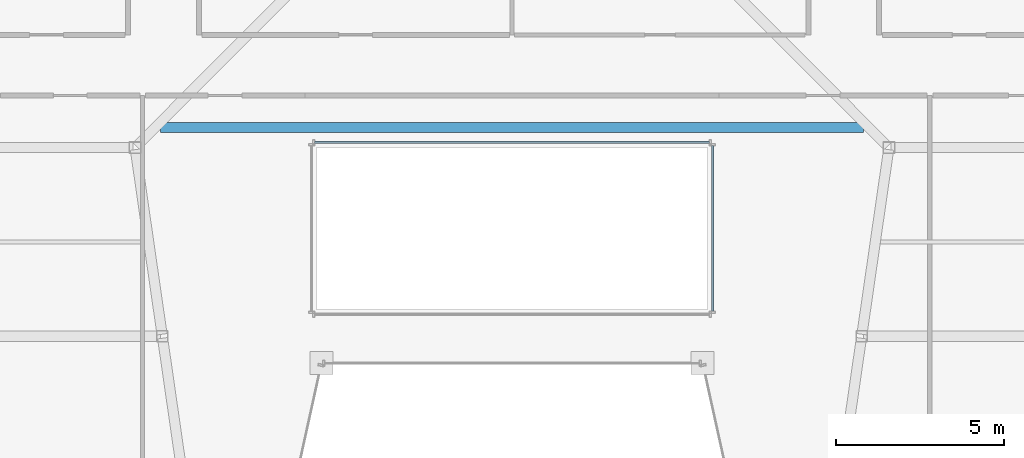
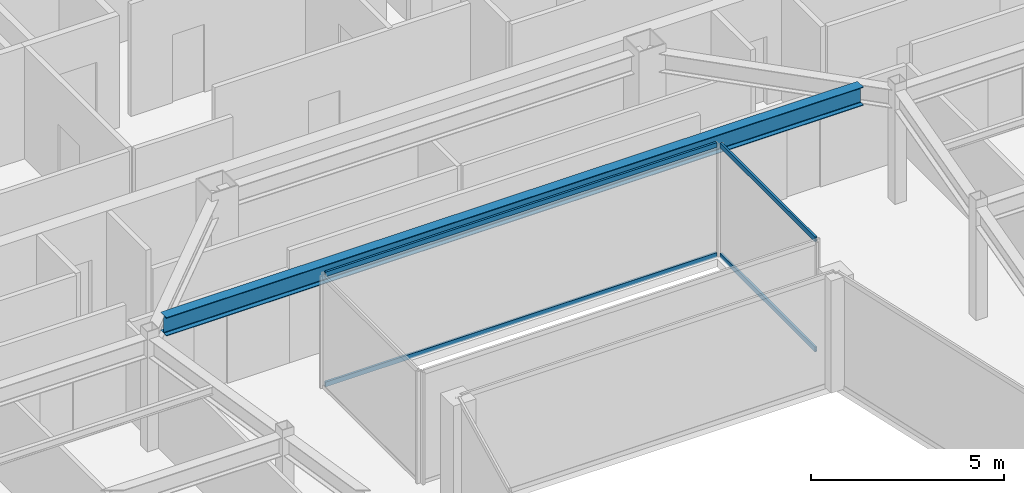
# One storey, part 10 of 33: 4 members, 1 beam, 2 elements without a shape of their own.
"""IFC4 building model written with IfcOpenShell, lengths in metres."""

import ifcopenshell
import ifcopenshell.guid

model = None  # the IFC model being written
_history = None  # IfcOwnerHistory: only IFC2X3 demands one
_inside = {}  # id of a spatial element -> (the spatial element, [elements in it])
_under = {}  # id of a project, library or spatial element -> (it, [spatial elements below it])
_declared = {}  # id of a project -> (the project, [libraries it declares])
_typed = {}  # id of a type object -> (the type object, [elements of that type])
_made_of = {}  # id of a material, layer set ... -> (it, [elements and type objects made of it])


def new_model(schema):
    """Start an empty IFC model of exactly this schema.

    Asked for "IFC4X3", IfcOpenShell would pick the latest addendum, in which some entities
    have other attributes; the version numbers below select the first issue.
    IFC2X3 requires an IfcOwnerHistory on every rooted entity: one is made here for all.
    """
    global model, _history
    if schema == "IFC4X3":
        model = ifcopenshell.file(schema_version=(4, 3, 0, 0))
    else:
        model = ifcopenshell.file(schema=schema)
    _inside.clear()
    _under.clear()
    _declared.clear()
    _typed.clear()
    _made_of.clear()
    _history = None
    if model.schema == "IFC2X3":
        org = make("IfcOrganization", Name="unknown")
        user = make(
            "IfcPersonAndOrganization",
            ThePerson=make("IfcPerson", FamilyName="unknown"),
            TheOrganization=org,
        )
        app = make(
            "IfcApplication",
            ApplicationDeveloper=org,
            Version="unknown",
            ApplicationFullName="unknown",
            ApplicationIdentifier="unknown",
        )
        _history = make(
            "IfcOwnerHistory",
            OwningUser=user,
            OwningApplication=app,
            ChangeAction="ADDED",
            CreationDate=0,
        )
    return model


def make(cls, **values):
    """One entity of the class cls with the attributes given. An attribute that is None is left unset."""
    return model.create_entity(
        cls, **{name: value for name, value in values.items() if value is not None}
    )


def rooted(cls, **values):
    """An entity with a GlobalId (a new one), such as an element, a storey or a relation."""
    return make(cls, GlobalId=ifcopenshell.guid.new(), OwnerHistory=_history, **values)


def si_unit(unit_type, name, prefix=None):
    """IfcSIUnit, for example si_unit("LENGTHUNIT", "METRE", prefix="MILLI")."""
    return make("IfcSIUnit", UnitType=unit_type, Prefix=prefix, Name=name)


def assignment(units):
    """IfcUnitAssignment: the units of a project."""
    return None if units is None else make("IfcUnitAssignment", Units=units)


def point(xyz):
    """IfcCartesianPoint."""
    return None if xyz is None else make("IfcCartesianPoint", Coordinates=xyz)


def direction(xyz):
    """IfcDirection."""
    return None if xyz is None else make("IfcDirection", DirectionRatios=xyz)


def frame(location, z_axis=None, x_axis=None):
    """IfcAxis2Placement3D, a coordinate frame: its origin and axes. An axis left out is left unset."""
    return make(
        "IfcAxis2Placement3D",
        Location=point(location),
        Axis=direction(z_axis),
        RefDirection=direction(x_axis),
    )


def frame_2d(location, x_axis=None):
    """IfcAxis2Placement2D, a coordinate frame in the plane: its origin and x axis."""
    return make(
        "IfcAxis2Placement2D", Location=point(location), RefDirection=direction(x_axis)
    )


def origin():
    """The frame at (0, 0, 0) with its axes left unset."""
    return frame((0.0, 0.0, 0.0))


def origin_2d():
    """The frame at (0, 0) in the plane with its x axis left unset."""
    return frame_2d((0.0, 0.0))


def place(relative_to, where):
    """IfcLocalPlacement: puts the frame where relative to a parent placement (None: the world)."""
    return make(
        "IfcLocalPlacement", PlacementRelTo=relative_to, RelativePlacement=where
    )


def context(
    kind, dimensions, precision=None, world=None, true_north=None, identifier=None
):
    """IfcGeometricRepresentationContext, for example the 3D "Model" context."""
    return make(
        "IfcGeometricRepresentationContext",
        ContextIdentifier=identifier,
        ContextType=kind,
        CoordinateSpaceDimension=dimensions,
        Precision=precision,
        WorldCoordinateSystem=world,
        TrueNorth=true_north,
    )


def subcontext(parent, identifier, kind, view, scale=None):
    """IfcGeometricRepresentationSubContext, for example "Body" below "Model"."""
    return make(
        "IfcGeometricRepresentationSubContext",
        ContextIdentifier=identifier,
        ContextType=kind,
        ParentContext=parent,
        TargetScale=scale,
        TargetView=view,
    )


def project(units=None, contexts=None):
    """IfcProject with its units and contexts."""
    return rooted(
        "IfcProject",
        Name="project",
        RepresentationContexts=contexts,
        UnitsInContext=assignment(units),
    )


def spatial(cls, under=None, at=None, **own):
    """A site, building, storey or space (cls), placed at a placement, below another one or the project."""
    s = rooted(cls, ObjectPlacement=at, **own)
    if under is not None:
        _under.setdefault(under.id(), (under, []))[1].append(s)
    return s


def profile(cls, at=None, kind="AREA", **sizes):
    """A parametric profile (cls). Its sizes go by their IFC names, for example OverallWidth=200.0."""
    return make(cls, ProfileType=kind, Position=at, **sizes)


def hollow_rectangle(**sizes):
    """IfcRectangleHollowProfileDef."""
    return profile("IfcRectangleHollowProfileDef", **sizes)


def i_section(**sizes):
    """IfcIShapeProfileDef."""
    return profile("IfcIShapeProfileDef", **sizes)


def extrude(swept, where, along, depth):
    """IfcExtrudedAreaSolid: the profile swept, set in the frame where, extruded along a direction by depth."""
    return make(
        "IfcExtrudedAreaSolid",
        SweptArea=swept,
        Position=where,
        ExtrudedDirection=direction(along),
        Depth=depth,
    )


def shape(context_of_items, identifier, shape_type, items):
    """IfcShapeRepresentation: the items that make up one representation, for example the "Body"."""
    return make(
        "IfcShapeRepresentation",
        ContextOfItems=context_of_items,
        RepresentationIdentifier=identifier,
        RepresentationType=shape_type,
        Items=items,
    )


def material(Name=None, Category=None):
    """IfcMaterial."""
    return make("IfcMaterial", Name=Name, Category=Category)


def material_profile(
    of_material, cross_section, Name=None, Category=None, Priority=None
):
    """IfcMaterialProfile: a cross section and its material."""
    return make(
        "IfcMaterialProfile",
        Name=Name,
        Material=of_material,
        Profile=cross_section,
        Priority=Priority,
        Category=Category,
    )


def profile_set(profiles, Name=None, composite=None):
    """IfcMaterialProfileSet."""
    return make(
        "IfcMaterialProfileSet",
        Name=Name,
        MaterialProfiles=profiles,
        CompositeProfile=composite,
    )


def made_of(thing, what):
    """Note that an element or type object is made of a material, layer set ...; save() writes the relation."""
    if what is not None:
        _made_of.setdefault(what.id(), (what, []))[1].append(thing)
    return thing


def type_object(cls, material=None, **own):
    """A type object (cls), such as IfcWallType, which elements share."""
    return made_of(rooted(cls, **own), material)


def element(
    cls,
    number,
    at=None,
    inside=None,
    cuts=None,
    type_object=None,
    material=None,
    context=None,
    identifier="Body",
    shape_type=None,
    held_by="IfcProductDefinitionShape",
    body=None,
    shapes=None,
    **own,
):
    """One element of the class cls, such as IfcWall. Its Tag is "e" and its number.

    at: its placement. inside: the storey or other place that contains it. cuts: it is an
    opening in that element (IfcRelVoidsElement). A single representation is given by context,
    identifier, shape_type and body (its items); several are given by shapes. held_by: the class
    of the entity that holds the representations. save() writes the other relations.
    """
    e = rooted(cls, Tag="e%d" % number, ObjectPlacement=at, **own)
    if body is not None:
        shapes = [shape(context, identifier, shape_type, body)]
    if shapes is not None:
        e.Representation = make(held_by, Representations=shapes)
    if inside is not None:
        _inside.setdefault(inside.id(), (inside, []))[1].append(e)
    if cuts is not None:
        rooted(
            "IfcRelVoidsElement", RelatingBuildingElement=cuts, RelatedOpeningElement=e
        )
    if type_object is not None:
        _typed.setdefault(type_object.id(), (type_object, []))[1].append(e)
    return made_of(e, material)


def aggregate(whole, parts):
    """IfcRelAggregates: a whole, such as a stair, and the parts it consists of."""
    return rooted("IfcRelAggregates", RelatingObject=whole, RelatedObjects=parts)


def save(model, path):
    """Write the relations noted so far, then the file.

    IfcRelAggregates (storeys below a building ...), IfcRelContainedInSpatialStructure (elements
    in a storey), IfcRelDefinesByType, IfcRelAssociatesMaterial and IfcRelDeclares: one each for
    every whole, place, type object, material and project.
    """
    for whole, parts in _under.values():
        aggregate(whole, parts)
    for where, things in _inside.values():
        rooted(
            "IfcRelContainedInSpatialStructure",
            RelatedElements=things,
            RelatingStructure=where,
        )
    for kind, things in _typed.values():
        rooted("IfcRelDefinesByType", RelatedObjects=things, RelatingType=kind)
    for what, things in _made_of.values():
        rooted("IfcRelAssociatesMaterial", RelatedObjects=things, RelatingMaterial=what)
    for by, libraries in _declared.values():
        rooted("IfcRelDeclares", RelatingContext=by, RelatedDefinitions=libraries)
    model.write(path)


model = new_model("IFC4")

# Units and contexts
model_context = context("Model", 3, precision=1e-05, world=origin(), true_north=direction((0.0, 1.0)))
body_context = subcontext(model_context, "Body", "Model", "MODEL_VIEW")
ifc_project = project(units=[si_unit("LENGTHUNIT", "METRE"), si_unit("AREAUNIT", "SQUARE_METRE"), si_unit("VOLUMEUNIT", "CUBIC_METRE"), si_unit("PLANEANGLEUNIT", "RADIAN"), si_unit("MASSUNIT", "GRAM", prefix="KILO")], contexts=[model_context])

# Site, building, storey
site_placement = place(None, origin())
site = spatial("IfcSite", under=ifc_project, at=site_placement, CompositionType="ELEMENT")
building_placement = place(site_placement, origin())
building = spatial("IfcBuilding", under=site, at=building_placement, Name="Saevonmaru Cultural Tower", CompositionType="ELEMENT")
storey_placement = place(building_placement, frame((0.0, 0.0, 238.199951171875)))
storey = spatial("IfcBuildingStorey", under=building, at=storey_placement, Name="L55", CompositionType="ELEMENT", Elevation=238.199951171875)

# Beam
ifc_material_1 = material(Name="Steel SM355", Category="steel")
ifc_material_profile_1 = material_profile(ifc_material_1, i_section(OverallWidth=0.300048828125, OverallDepth=0.587890625, WebThickness=0.011962890625, FlangeThickness=0.02001953125, FilletRadius=0.02392578125, at=origin_2d()), Name="H-588x300x12x20")
ifc_profile_set_1 = profile_set([ifc_material_profile_1], Name="Steel SM355")
beam_type = type_object("IfcBeamType", Name="BM-G-H588", PredefinedType="BEAM", material=ifc_profile_set_1)
beam_placement = place(storey_placement, frame((19.56494140625, 38.199951171875, 3.256103515625), z_axis=(1.0, 0.0, 0.0), x_axis=(0.0, 1.0, 0.0)))
element("IfcBeam", 1, at=beam_placement, inside=storey, type_object=beam_type, Name="L55 Central Link Girder", PredefinedType="BEAM", context=body_context, shape_type="SweptSolid", body=[
    extrude(i_section(OverallWidth=0.300048828125, OverallDepth=0.587890625, WebThickness=0.011962890625, FlangeThickness=0.02001953125, FilletRadius=0.02392578125, at=origin_2d()), origin(), (0.0, 0.0, 1.0), 20.8701171875),
])

# Curtain wall, members
ifc_material_2 = material(Name="Satin Bronze Anodised Aluminium", Category="aluminium")
curtain_wall_type = type_object("IfcCurtainWallType", Name="CW-ATR-GLZ", PredefinedType="NOTDEFINED", material=ifc_material_2)
curtain_wall_1_placement = place(storey_placement, origin())
curtain_wall_1 = element("IfcCurtainWall", 2, at=curtain_wall_1_placement, inside=storey, type_object=curtain_wall_type, Name="L55 Vertical Atrium Glazed Smoke Screen 2", PredefinedType="NOTDEFINED")
ifc_material_profile_2 = material_profile(ifc_material_2, hollow_rectangle(XDim=0.06494140625, YDim=0.14990234375, WallThickness=0.00390625, at=origin_2d()), Name="ALU-TRAN-150x65x4")
ifc_profile_set_2 = profile_set([ifc_material_profile_2], Name="Satin Bronze Anodised Aluminium")
member_type = type_object("IfcMemberType", Name="TR-CW-INT-150x65", PredefinedType="USERDEFINED", material=ifc_profile_set_2)
member_1_placement = place(storey_placement, frame((35.949951171875, 32.742431640625, 0.032470703125), z_axis=(0.0, 1.0, 0.0), x_axis=(-1.0, 0.0, 0.0)))
member_1 = element("IfcMember", 3, at=member_1_placement, type_object=member_type, Name="CW-ATR-L55-2 transom 1.1", ObjectType="TRANSOM", PredefinedType="USERDEFINED", context=body_context, shape_type="SweptSolid", body=[
    extrude(hollow_rectangle(XDim=0.06494140625, YDim=0.14990234375, WallThickness=0.00390625, at=origin_2d()), origin(), (0.0, 0.0, 1.0), 4.9150390625),
])
member_2_placement = place(storey_placement, frame((35.949951171875, 32.742431640625, 3.517578125), z_axis=(0.0, 1.0, 0.0), x_axis=(-1.0, 0.0, 0.0)))
member_2 = element("IfcMember", 4, at=member_2_placement, type_object=member_type, Name="CW-ATR-L55-2 transom 1.2", ObjectType="TRANSOM", PredefinedType="USERDEFINED", context=body_context, shape_type="SweptSolid", body=[
    extrude(hollow_rectangle(XDim=0.06494140625, YDim=0.14990234375, WallThickness=0.00390625, at=origin_2d()), origin(), (0.0, 0.0, 1.0), 4.9150390625),
])
aggregate(curtain_wall_1, [member_1, member_2])

curtain_wall_2_placement = place(storey_placement, origin())
curtain_wall_2 = element("IfcCurtainWall", 5, at=curtain_wall_2_placement, inside=storey, type_object=curtain_wall_type, Name="L55 Vertical Atrium Glazed Smoke Screen 3", PredefinedType="NOTDEFINED")
member_3_placement = place(storey_placement, frame((35.857421875, 37.75, 0.032470703125), z_axis=(-1.0, 0.0, 0.0), x_axis=(0.0, -1.0, 0.0)))
member_3 = element("IfcMember", 6, at=member_3_placement, type_object=member_type, Name="CW-ATR-L55-3 transom 1.1", ObjectType="TRANSOM", PredefinedType="USERDEFINED", context=body_context, shape_type="SweptSolid", body=[
    extrude(hollow_rectangle(XDim=0.06494140625, YDim=0.14990234375, WallThickness=0.00390625, at=origin_2d()), origin(), (0.0, 0.0, 1.0), 11.71484375),
])
member_4_placement = place(storey_placement, frame((35.857421875, 37.75, 3.517578125), z_axis=(-1.0, 0.0, 0.0), x_axis=(0.0, -1.0, 0.0)))
member_4 = element("IfcMember", 7, at=member_4_placement, type_object=member_type, Name="CW-ATR-L55-3 transom 1.2", ObjectType="TRANSOM", PredefinedType="USERDEFINED", context=body_context, shape_type="SweptSolid", body=[
    extrude(hollow_rectangle(XDim=0.06494140625, YDim=0.14990234375, WallThickness=0.00390625, at=origin_2d()), origin(), (0.0, 0.0, 1.0), 11.71484375),
])
aggregate(curtain_wall_2, [member_3, member_4])

save(model, "model.ifc")
